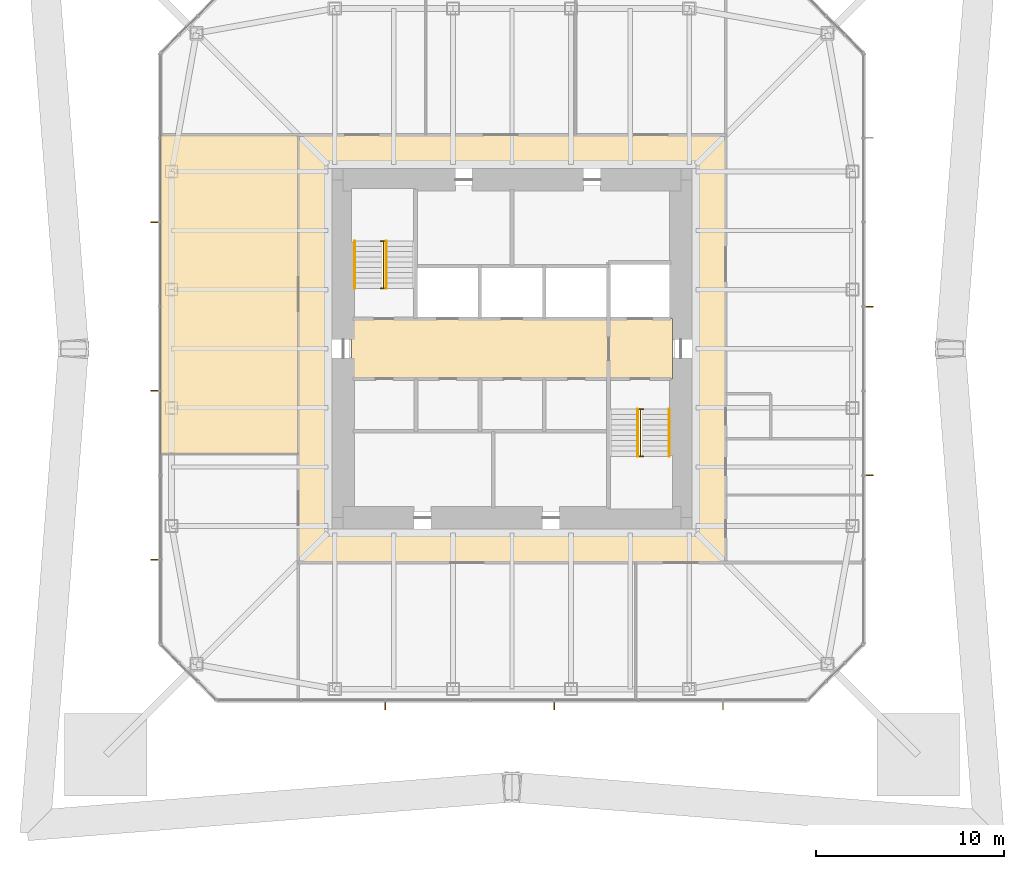
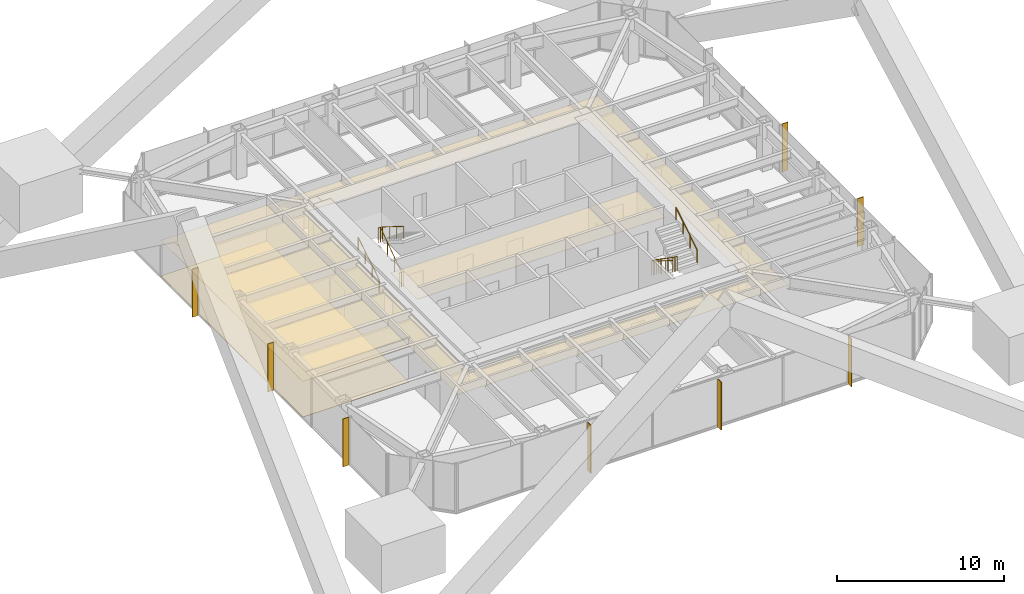
# One storey, part 10 of 11: 8 shading devices, 6 railings, 5 coverings.
"""IFC4 building model written with IfcOpenShell, lengths in metres."""

from ifc_helpers import new_model, si_unit, direction, frame, origin, origin_2d, place, context, subcontext, project, spatial, polyline, rectangle, circle, outline, extrude, material, layer, layer_set, constituent, constituent_set, type_object, element, save


model = new_model("IFC4")

# Units and contexts
model_context = context("Model", 3, precision=1e-05, world=origin(), true_north=direction((0.0, 1.0)))
body_context = subcontext(model_context, "Body", "Model", "MODEL_VIEW")
ifc_project = project(units=[si_unit("LENGTHUNIT", "METRE"), si_unit("AREAUNIT", "SQUARE_METRE"), si_unit("VOLUMEUNIT", "CUBIC_METRE"), si_unit("PLANEANGLEUNIT", "RADIAN"), si_unit("MASSUNIT", "GRAM", prefix="KILO")], contexts=[model_context])

# Site, building, storey
site_placement = place(None, origin())
site = spatial("IfcSite", under=ifc_project, at=site_placement, CompositionType="ELEMENT")
building_placement = place(site_placement, origin())
building = spatial("IfcBuilding", under=site, at=building_placement, Name="Iwan Alto Co-Living Towers", CompositionType="ELEMENT")
storey_placement = place(building_placement, frame((0.0, 0.0, 149.5)))
storey = spatial("IfcBuildingStorey", under=building, at=storey_placement, Name="L40", CompositionType="ELEMENT", Elevation=149.5)

# Coverings
ifc_material_1 = material(Name="Mineral fibre acoustic tiles on steel grid", Category="steel")
ifc_layer_1 = layer(ifc_material_1, 0.02001953125)
ifc_layer_set_1 = layer_set([ifc_layer_1], Name="ACOUSTIC TILE CEILING 20")
covering_type_1 = type_object("IfcCoveringType", Name="ACOUSTIC TILE CEILING 20", PredefinedType="CEILING", material=ifc_layer_set_1)
covering_1_placement = place(storey_placement, frame((0.0, 0.0, 2.60009765625)))
element("IfcCovering", 1, at=covering_1_placement, inside=storey, type_object=covering_type_1, Name="Ceiling Lift lobby L40", PredefinedType="CEILING", context=body_context, shape_type="SweptSolid", body=[
    extrude(outline(polyline([(-8.550048828125, -1.60009765625), (-8.550048828125, 1.60009765625), (5.14990234375, 1.60009765625), (5.14990234375, -1.60009765625), (-8.550048828125, -1.60009765625)])), origin(), (0.0, 0.0, 1.0), 0.02001953125),
])
covering_2_placement = place(storey_placement, frame((0.0, 0.0, 2.60009765625)))
element("IfcCovering", 2, at=covering_2_placement, inside=storey, type_object=covering_type_1, Name="Ceiling Firefighting lobby L40", PredefinedType="CEILING", context=body_context, shape_type="SweptSolid", body=[
    extrude(outline(polyline([(5.14990234375, -1.60009765625), (5.14990234375, 1.60009765625), (8.550048828125, 1.60009765625), (8.550048828125, -1.60009765625), (5.14990234375, -1.60009765625)])), origin(), (0.0, 0.0, 1.0), 0.02001953125),
])

# Shading devices
ifc_material_2 = material(Name="Aluminium 6063-T6 bronze anodised", Category="aluminium")
ifc_layer_2 = layer(ifc_material_2, 0.050048828125)
ifc_layer_set_2 = layer_set([ifc_layer_2], Name="BRONZE FIN 50X400")
shading_device_type = type_object("IfcShadingDeviceType", Name="BRONZE FIN 50X400", PredefinedType="USERDEFINED", material=ifc_layer_set_2)
for number, where, z_axis, x_axis, name in (
    (3, (-6.75, -19.050048828125, 0.0), (0.0, 0.0, 1.0), (1.0, 0.0, 0.0), "Bronze fin L40"),
    (4, (2.25, -19.050048828125, 0.0), (0.0, 0.0, 1.0), (1.0, 0.0, 0.0), "Bronze fin L40"),
    (5, (11.25, -19.050048828125, 0.0), (0.0, 0.0, 1.0), (1.0, 0.0, 0.0), "Bronze fin L40"),
    (6, (19.050048828125, -6.75, 0.0), (0.0, 0.0, 1.0), (0.0, 1.0, 0.0), "Bronze fin L40"),
    (7, (19.050048828125, 2.25, 0.0), (0.0, 0.0, 1.0), (0.0, 1.0, 0.0), "Bronze fin L40"),
    (8, (-19.050048828125, 6.75, 0.0), (0.0, 0.0, 1.0), (0.0, -1.0, 0.0), "Bronze fin L40"),
    (9, (-19.050048828125, -2.25, 0.0), (0.0, 0.0, 1.0), (0.0, -1.0, 0.0), "Bronze fin L40"),
    (10, (-19.050048828125, -11.25, 0.0), (0.0, 0.0, 1.0), (0.0, -1.0, 0.0), "Bronze fin L40"),
):
    element("IfcShadingDevice", number, at=place(storey_placement, frame(where, z_axis=z_axis, x_axis=x_axis)), inside=storey, type_object=shading_device_type, Name=name, ObjectType="LOUVER", PredefinedType="USERDEFINED", context=body_context, shape_type="SweptSolid", body=[
        extrude(rectangle(XDim=0.050048828125, YDim=0.39990234375, at=origin_2d()), origin(), (0.0, 0.0, 1.0), 3.5),
    ])

# Railings
ifc_material_3 = material(Name="Steel ASTM A500 Gr C", Category="steel")
ifc_constituent_1 = constituent(ifc_material_3, Name="Rails and posts", Category="Framing")
ifc_material_4 = material(Name="Steel ASTM A36", Category="steel")
ifc_constituent_2 = constituent(ifc_material_4, Name="Bar infill", Category="Infill")
ifc_constituent_set = constituent_set(constituents=[ifc_constituent_1, ifc_constituent_2], Name="STAIR GUARD 1100")
railing_type_1 = type_object("IfcRailingType", Name="STAIR GUARD 1100", PredefinedType="GUARDRAIL", material=ifc_constituent_set)
railing_1_placement = place(storey_placement, frame((-6.85009765625, 3.219970703125, 0.0)))
element("IfcRailing", 11, at=railing_1_placement, inside=storey, type_object=railing_type_1, Name="Stair T1-S1 well guard L40", PredefinedType="GUARDRAIL", context=body_context, shape_type="SweptSolid", body=[
    extrude(circle(Radius=0.02392578125, at=origin_2d()), frame((0.0, 0.0, 1.076171875), z_axis=(0.0, 0.821372036852, 0.570392826987), x_axis=(-1.0, 0.0, 0.0)), (0.0, 0.0, 1.0), 3.068115234375),
    extrude(circle(Radius=0.02392578125, at=origin_2d()), frame((-0.14990234375, 0.0, 1.076171875), z_axis=(1.0, 0.0, 0.0), x_axis=(0.0, 1.0, 0.0)), (0.0, 0.0, 1.0), 0.300048828125),
    extrude(circle(Radius=0.02392578125, at=origin_2d()), frame((-0.14990234375, 2.52001953125, 2.826171875), z_axis=(1.0, 0.0, 0.0), x_axis=(0.0, 1.0, 0.0)), (0.0, 0.0, 1.0), 0.300048828125),
    extrude(circle(Radius=0.02099609375, at=origin_2d()), origin(), (0.0, 0.0, 1.0), 1.052001953125),
    extrude(circle(Radius=0.02099609375, at=origin_2d()), frame((0.0, 0.840087890625, 0.583251953125)), (0.0, 0.0, 1.0), 1.052001953125),
    extrude(circle(Radius=0.02099609375, at=origin_2d()), frame((0.0, 1.679931640625, 1.166748046875)), (0.0, 0.0, 1.0), 1.052001953125),
    extrude(circle(Radius=0.02099609375, at=origin_2d()), frame((0.0, 2.52001953125, 1.75)), (0.0, 0.0, 1.0), 1.052001953125),
    extrude(circle(Radius=0.02099609375, at=origin_2d()), frame((-0.14990234375, 0.0, 0.0)), (0.0, 0.0, 1.0), 1.052001953125),
    extrude(circle(Radius=0.02099609375, at=origin_2d()), frame((0.150146484375, 0.0, 0.0)), (0.0, 0.0, 1.0), 1.052001953125),
    extrude(circle(Radius=0.02099609375, at=origin_2d()), frame((-0.14990234375, 2.52001953125, 1.75)), (0.0, 0.0, 1.0), 1.052001953125),
    extrude(circle(Radius=0.02099609375, at=origin_2d()), frame((0.150146484375, 2.52001953125, 1.75)), (0.0, 0.0, 1.0), 1.052001953125),
])
railing_2_placement = place(storey_placement, frame((6.85009765625, -3.219970703125, 0.0)))
element("IfcRailing", 12, at=railing_2_placement, inside=storey, type_object=railing_type_1, Name="Stair T1-S2 well guard L40", PredefinedType="GUARDRAIL", context=body_context, shape_type="SweptSolid", body=[
    extrude(circle(Radius=0.02392578125, at=origin_2d()), frame((0.0, 0.0, 1.076171875), z_axis=(0.0, -0.821372036852, 0.570392826987), x_axis=(1.0, 0.0, 0.0)), (0.0, 0.0, 1.0), 3.068115234375),
    extrude(circle(Radius=0.02392578125, at=origin_2d()), frame((-0.150146484375, 0.0, 1.076171875), z_axis=(1.0, 0.0, 0.0), x_axis=(0.0, 1.0, 0.0)), (0.0, 0.0, 1.0), 0.300048828125),
    extrude(circle(Radius=0.02392578125, at=origin_2d()), frame((-0.150146484375, -2.52001953125, 2.826171875), z_axis=(1.0, 0.0, 0.0), x_axis=(0.0, 1.0, 0.0)), (0.0, 0.0, 1.0), 0.300048828125),
    extrude(circle(Radius=0.02099609375, at=origin_2d()), origin(), (0.0, 0.0, 1.0), 1.052001953125),
    extrude(circle(Radius=0.02099609375, at=origin_2d()), frame((0.0, -0.840087890625, 0.583251953125)), (0.0, 0.0, 1.0), 1.052001953125),
    extrude(circle(Radius=0.02099609375, at=origin_2d()), frame((0.0, -1.679931640625, 1.166748046875)), (0.0, 0.0, 1.0), 1.052001953125),
    extrude(circle(Radius=0.02099609375, at=origin_2d()), frame((0.0, -2.52001953125, 1.75)), (0.0, 0.0, 1.0), 1.052001953125),
    extrude(circle(Radius=0.02099609375, at=origin_2d()), frame((-0.150146484375, 0.0, 0.0)), (0.0, 0.0, 1.0), 1.052001953125),
    extrude(circle(Radius=0.02099609375, at=origin_2d()), frame((0.14990234375, 0.0, 0.0)), (0.0, 0.0, 1.0), 1.052001953125),
    extrude(circle(Radius=0.02099609375, at=origin_2d()), frame((-0.150146484375, -2.52001953125, 1.75)), (0.0, 0.0, 1.0), 1.052001953125),
    extrude(circle(Radius=0.02099609375, at=origin_2d()), frame((0.14990234375, -2.52001953125, 1.75)), (0.0, 0.0, 1.0), 1.052001953125),
])
ifc_material_5 = material(Name="Steel ASTM A500 Gr C", Category="steel")
railing_type_2 = type_object("IfcRailingType", Name="STAIR HANDRAIL 900", PredefinedType="HANDRAIL", material=ifc_material_5)
railing_3_placement = place(storey_placement, frame((-8.3798828125, 3.219970703125, 0.175048828125)))
element("IfcRailing", 13, at=railing_3_placement, inside=storey, type_object=railing_type_2, Name="Stair T1-S1 handrail 1 L40", PredefinedType="HANDRAIL", context=body_context, shape_type="SweptSolid", body=[
    extrude(circle(Radius=0.02392578125, at=origin_2d()), frame((0.0, 0.0, 0.8759765625), z_axis=(0.0, 0.848007534815, 0.529984170421), x_axis=(-1.0, 0.0, 0.0)), (0.0, 0.0, 1.0), 2.9716796875),
    extrude(circle(Radius=0.02099609375, at=origin_2d()), origin(), (0.0, 0.0, 1.0), 0.851806640625),
    extrude(circle(Radius=0.02099609375, at=origin_2d()), frame((0.0, 0.840087890625, 0.52490234375)), (0.0, 0.0, 1.0), 0.851806640625),
    extrude(circle(Radius=0.02099609375, at=origin_2d()), frame((0.0, 1.679931640625, 1.050048828125)), (0.0, 0.0, 1.0), 0.851806640625),
    extrude(circle(Radius=0.02099609375, at=origin_2d()), frame((0.0, 2.52001953125, 1.574951171875)), (0.0, 0.0, 1.0), 0.851806640625),
])
for number, where, name in (
    (14, (-6.699951171875, 5.739990234375, 1.925048828125), "Stair T1-S1 handrail 2 L40"),
    (15, (6.699951171875, -3.219970703125, 0.175048828125), "Stair T1-S2 handrail 1 L40"),
):
    element("IfcRailing", number, at=place(storey_placement, frame(where)), inside=storey, type_object=railing_type_2, Name=name, PredefinedType="HANDRAIL", context=body_context, shape_type="SweptSolid", body=[
        extrude(circle(Radius=0.02392578125, at=origin_2d()), frame((0.0, 0.0, 0.8759765625), z_axis=(0.0, -0.848007534815, 0.529984170421), x_axis=(1.0, 0.0, 0.0)), (0.0, 0.0, 1.0), 2.9716796875),
        extrude(circle(Radius=0.02099609375, at=origin_2d()), origin(), (0.0, 0.0, 1.0), 0.851806640625),
        extrude(circle(Radius=0.02099609375, at=origin_2d()), frame((0.0, -0.840087890625, 0.52490234375)), (0.0, 0.0, 1.0), 0.851806640625),
        extrude(circle(Radius=0.02099609375, at=origin_2d()), frame((0.0, -1.679931640625, 1.050048828125)), (0.0, 0.0, 1.0), 0.851806640625),
        extrude(circle(Radius=0.02099609375, at=origin_2d()), frame((0.0, -2.52001953125, 1.574951171875)), (0.0, 0.0, 1.0), 0.851806640625),
    ])
railing_4_placement = place(storey_placement, frame((8.3798828125, -5.739990234375, 1.925048828125)))
element("IfcRailing", 16, at=railing_4_placement, inside=storey, type_object=railing_type_2, Name="Stair T1-S2 handrail 2 L40", PredefinedType="HANDRAIL", context=body_context, shape_type="SweptSolid", body=[
    extrude(circle(Radius=0.02392578125, at=origin_2d()), frame((0.0, 0.0, 0.8759765625), z_axis=(0.0, 0.848007534815, 0.529984170421), x_axis=(-1.0, 0.0, 0.0)), (0.0, 0.0, 1.0), 2.9716796875),
    extrude(circle(Radius=0.02099609375, at=origin_2d()), origin(), (0.0, 0.0, 1.0), 0.851806640625),
    extrude(circle(Radius=0.02099609375, at=origin_2d()), frame((0.0, 0.840087890625, 0.52490234375)), (0.0, 0.0, 1.0), 0.851806640625),
    extrude(circle(Radius=0.02099609375, at=origin_2d()), frame((0.0, 1.679931640625, 1.050048828125)), (0.0, 0.0, 1.0), 0.851806640625),
    extrude(circle(Radius=0.02099609375, at=origin_2d()), frame((0.0, 2.52001953125, 1.574951171875)), (0.0, 0.0, 1.0), 0.851806640625),
])

# Coverings
ifc_material_6 = material(Name="Gypsum plasterboard on steel grid", Category="steel")
ifc_layer_3 = layer(ifc_material_6, 0.014892578125)
ifc_layer_set_3 = layer_set([ifc_layer_3], Name="SUSPENDED PLASTERBOARD CEILING 15")
covering_type_2 = type_object("IfcCoveringType", Name="SUSPENDED PLASTERBOARD CEILING 15", PredefinedType="CEILING", material=ifc_layer_set_3)
covering_3_placement = place(storey_placement, frame((0.0, 0.0, 2.60009765625)))
element("IfcCovering", 17, at=covering_3_placement, inside=storey, type_object=covering_type_2, Name="Ceiling Corridor L40", PredefinedType="CEILING", context=body_context, shape_type="SweptSolid", body=[
    extrude(outline(polyline([(-11.39990234375, 11.39990234375), (11.39990234375, 11.39990234375), (11.39990234375, -11.39990234375), (-11.39990234375, -11.39990234375), (-11.39990234375, 11.39990234375)]), holes=[polyline([(-9.60009765625, 9.60009765625), (-9.60009765625, -9.60009765625), (9.60009765625, -9.60009765625), (9.60009765625, 9.60009765625), (-9.60009765625, 9.60009765625)])]), origin(), (0.0, 0.0, 1.0), 0.014892578125),
])
ifc_material_7 = material(Name="Engineered oak boards")
ifc_layer_4 = layer(ifc_material_7, 0.02001953125)
ifc_layer_set_4 = layer_set([ifc_layer_4], Name="TIMBER FLOOR FINISH 20")
covering_type_3 = type_object("IfcCoveringType", Name="TIMBER FLOOR FINISH 20", PredefinedType="FLOORING", material=ifc_layer_set_4)
covering_4_placement = place(storey_placement, origin())
element("IfcCovering", 18, at=covering_4_placement, inside=storey, type_object=covering_type_3, Name="Floor finish Residents' sky lounge L40", PredefinedType="FLOORING", context=body_context, shape_type="SweptSolid", body=[
    extrude(outline(polyline([(-11.39990234375, -5.60009765625), (-18.75, -5.60009765625), (-18.75, 11.39990234375), (-11.39990234375, 11.39990234375), (-11.39990234375, -5.60009765625)])), origin(), (0.0, 0.0, 1.0), 0.02001953125),
])
ifc_material_8 = material(Name="Walnut timber slats on acoustic backing", Category="wood")
ifc_layer_5 = layer(ifc_material_8, 0.02490234375)
ifc_layer_set_5 = layer_set([ifc_layer_5], Name="TIMBER SLAT CEILING 25")
covering_type_4 = type_object("IfcCoveringType", Name="TIMBER SLAT CEILING 25", PredefinedType="CEILING", material=ifc_layer_set_5)
covering_5_placement = place(storey_placement, frame((0.0, 0.0, 2.60009765625)))
element("IfcCovering", 19, at=covering_5_placement, inside=storey, type_object=covering_type_4, Name="Ceiling Residents' sky lounge L40", PredefinedType="CEILING", context=body_context, shape_type="SweptSolid", body=[
    extrude(outline(polyline([(-11.39990234375, -5.60009765625), (-18.75, -5.60009765625), (-18.75, 11.39990234375), (-11.39990234375, 11.39990234375), (-11.39990234375, -5.60009765625)])), origin(), (0.0, 0.0, 1.0), 0.02490234375),
])

save(model, "model.ifc")
